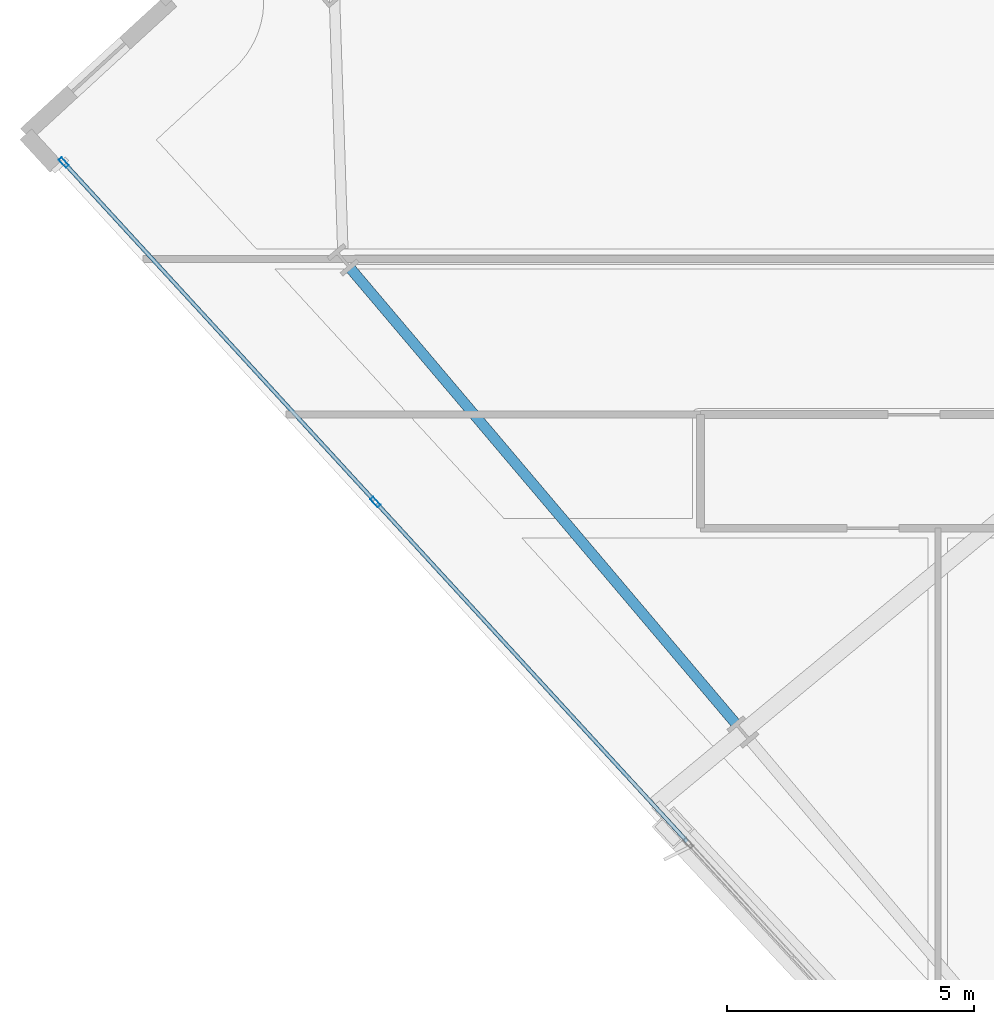
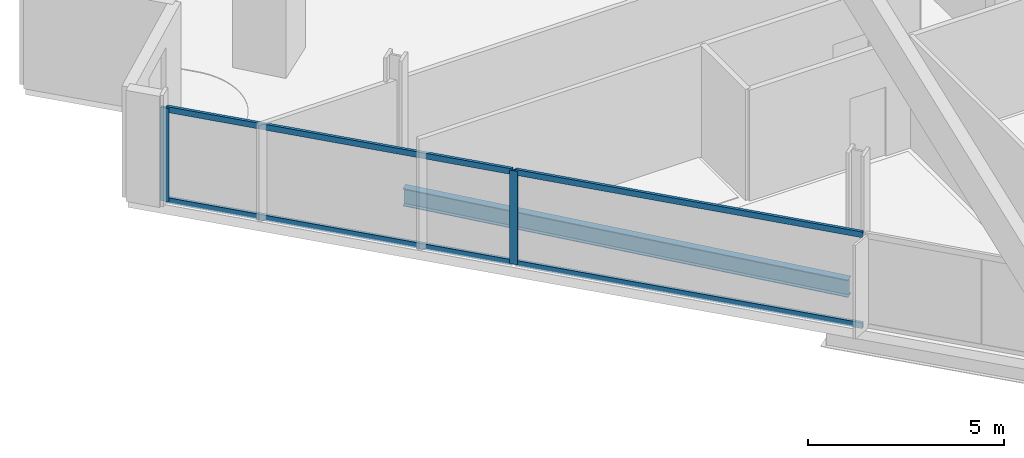
# One storey, part 4 of 32: 6 members, 1 beam, 1 element without a shape of its own.
"""IFC4 building model written with IfcOpenShell, lengths in metres."""

from ifc_helpers import new_model, si_unit, direction, frame, origin, origin_2d, place, context, subcontext, project, spatial, hollow_rectangle, i_section, extrude, material, material_profile, profile_set, type_object, element, aggregate, save


model = new_model("IFC4")

# Units and contexts
model_context = context("Model", 3, precision=1e-05, world=origin(), true_north=direction((0.0, 1.0)))
body_context = subcontext(model_context, "Body", "Model", "MODEL_VIEW")
ifc_project = project(units=[si_unit("LENGTHUNIT", "METRE"), si_unit("AREAUNIT", "SQUARE_METRE"), si_unit("VOLUMEUNIT", "CUBIC_METRE"), si_unit("PLANEANGLEUNIT", "RADIAN"), si_unit("MASSUNIT", "GRAM", prefix="KILO")], contexts=[model_context])

# Site, building, storey
site_placement = place(None, origin())
site = spatial("IfcSite", under=ifc_project, at=site_placement, CompositionType="ELEMENT")
building_placement = place(site_placement, origin())
building = spatial("IfcBuilding", under=site, at=building_placement, Name="Haldenkirk Collegiate Tower", CompositionType="ELEMENT")
storey_placement = place(building_placement, frame((0.0, 0.0, 170.699951171875)))
storey = spatial("IfcBuildingStorey", under=building, at=storey_placement, Name="L42", CompositionType="ELEMENT", Elevation=170.699951171875)

# Beam
ifc_material_1 = material(Name="Steel ASTM A992 Grade 50", Category="steel")
ifc_material_profile_1 = material_profile(ifc_material_1, i_section(OverallWidth=0.2119140625, OverallDepth=0.5439453125, WebThickness=0.01318359375, FlangeThickness=0.021240234375, at=origin_2d()), Name="W21X83")
ifc_profile_set_1 = profile_set([ifc_material_profile_1], Name="Steel ASTM A992 Grade 50")
beam_type = type_object("IfcBeamType", Name="BM-SPANDREL-W21X83", PredefinedType="SPANDREL", material=ifc_profile_set_1)
beam_placement = place(storey_placement, frame((11.111328125, 20.80859375, -0.56201171875), z_axis=(0.646126367676, -0.763230448157, 0.0), x_axis=(0.763230448157, 0.646126367676, 0.0)))
element("IfcBeam", 1, at=beam_placement, inside=storey, type_object=beam_type, Name="L42 perimeter spandrel beam 14", PredefinedType="SPANDREL", context=body_context, shape_type="SweptSolid", body=[
    extrude(i_section(OverallWidth=0.2119140625, OverallDepth=0.5439453125, WebThickness=0.01318359375, FlangeThickness=0.021240234375, at=origin_2d()), origin(), (0.0, 0.0, 1.0), 12.06494140625),
])

# Curtain wall, members
ifc_material_2 = material(Name="Anodised architectural bronze aluminium", Category="aluminium")
curtain_wall_type = type_object("IfcCurtainWallType", Name="CW-SYS1-CONVEX-LOW", PredefinedType="USERDEFINED", material=ifc_material_2)
curtain_wall_placement = place(storey_placement, origin())
curtain_wall = element("IfcCurtainWall", 2, at=curtain_wall_placement, inside=storey, type_object=curtain_wall_type, Name="L42 Lower tower convex bronze-framed unitised curtain wall", ObjectType="UNITISED CURTAIN WALL", PredefinedType="USERDEFINED")
ifc_material_profile_2 = material_profile(ifc_material_2, hollow_rectangle(XDim=0.080078125, YDim=0.219970703125, WallThickness=0.0048828125, at=origin_2d()), Name="CW-MUL-1A")
ifc_profile_set_2 = profile_set([ifc_material_profile_2], Name="Anodised architectural bronze aluminium")
member_type_1 = type_object("IfcMemberType", Name="CW-MUL-1A", PredefinedType="MULLION", material=ifc_profile_set_2)
member_1_placement = place(storey_placement, frame((11.6171875, 16.0810546875, 0.0), z_axis=(0.0, 0.0, 1.0), x_axis=(-0.736688527954, -0.676232218088, 0.0)))
member_1 = element("IfcMember", 3, at=member_1_placement, type_object=member_type_1, Name="CW-1A mullion 4", PredefinedType="MULLION", context=body_context, shape_type="SweptSolid", body=[
    extrude(hollow_rectangle(XDim=0.080078125, YDim=0.219970703125, WallThickness=0.0048828125, at=origin_2d()), origin(), (0.0, 0.0, 1.0), 2.9111328125),
])
member_2_placement = place(storey_placement, frame((5.308837890625, 22.953369140625, 0.0), z_axis=(0.0, 0.0, 1.0), x_axis=(-0.736688527954, -0.676232218088, 0.0)))
member_2 = element("IfcMember", 4, at=member_2_placement, type_object=member_type_1, Name="CW-1A mullion 5", PredefinedType="MULLION", context=body_context, shape_type="SweptSolid", body=[
    extrude(hollow_rectangle(XDim=0.080078125, YDim=0.219970703125, WallThickness=0.0048828125, at=origin_2d()), origin(), (0.0, 0.0, 1.0), 2.9111328125),
])
ifc_material_profile_3 = material_profile(ifc_material_2, hollow_rectangle(XDim=0.080078125, YDim=0.179931640625, WallThickness=0.0048828125, at=origin_2d()), Name="CW-TRN-1A")
ifc_profile_set_3 = profile_set([ifc_material_profile_3], Name="Anodised architectural bronze aluminium")
member_type_2 = type_object("IfcMemberType", Name="CW-TRN-1A", PredefinedType="USERDEFINED", material=ifc_profile_set_3)
member_3_placement = place(storey_placement, frame((17.925537109375, 9.208740234375, 0.0400390625), z_axis=(-0.676233880188, 0.736687002251, 0.0), x_axis=(-0.736687002251, -0.676233880188, 0.0)))
member_3 = element("IfcMember", 5, at=member_3_placement, type_object=member_type_2, Name="CW-1A transom 3.1", ObjectType="TRANSOM", PredefinedType="USERDEFINED", context=body_context, shape_type="SweptSolid", body=[
    extrude(hollow_rectangle(XDim=0.080078125, YDim=0.179931640625, WallThickness=0.0048828125, at=origin_2d()), origin(), (0.0, 0.0, 1.0), 9.28857421875),
])
member_4_placement = place(storey_placement, frame((17.925537109375, 9.208740234375, 2.87109375), z_axis=(-0.676233880188, 0.736687002251, 0.0), x_axis=(-0.736687002251, -0.676233880188, 0.0)))
member_4 = element("IfcMember", 6, at=member_4_placement, type_object=member_type_2, Name="CW-1A transom 3.2", ObjectType="TRANSOM", PredefinedType="USERDEFINED", context=body_context, shape_type="SweptSolid", body=[
    extrude(hollow_rectangle(XDim=0.080078125, YDim=0.179931640625, WallThickness=0.0048828125, at=origin_2d()), origin(), (0.0, 0.0, 1.0), 9.28857421875),
])
member_5_placement = place(storey_placement, frame((11.590087890625, 16.110595703125, 0.0400390625), z_axis=(-0.676221741686, 0.736698144474, 0.0), x_axis=(-0.736698144474, -0.676221741686, 0.0)))
member_5 = element("IfcMember", 7, at=member_5_placement, type_object=member_type_2, Name="CW-1A transom 4.1", ObjectType="TRANSOM", PredefinedType="USERDEFINED", context=body_context, shape_type="SweptSolid", body=[
    extrude(hollow_rectangle(XDim=0.080078125, YDim=0.179931640625, WallThickness=0.0048828125, at=origin_2d()), origin(), (0.0, 0.0, 1.0), 9.248779296875),
])
member_6_placement = place(storey_placement, frame((11.590087890625, 16.110595703125, 2.87109375), z_axis=(-0.676221741686, 0.736698144474, 0.0), x_axis=(-0.736698144474, -0.676221741686, 0.0)))
member_6 = element("IfcMember", 8, at=member_6_placement, type_object=member_type_2, Name="CW-1A transom 4.2", ObjectType="TRANSOM", PredefinedType="USERDEFINED", context=body_context, shape_type="SweptSolid", body=[
    extrude(hollow_rectangle(XDim=0.080078125, YDim=0.179931640625, WallThickness=0.0048828125, at=origin_2d()), origin(), (0.0, 0.0, 1.0), 9.248779296875),
])
aggregate(curtain_wall, [member_1, member_2, member_3, member_4, member_5, member_6])

save(model, "model.ifc")
